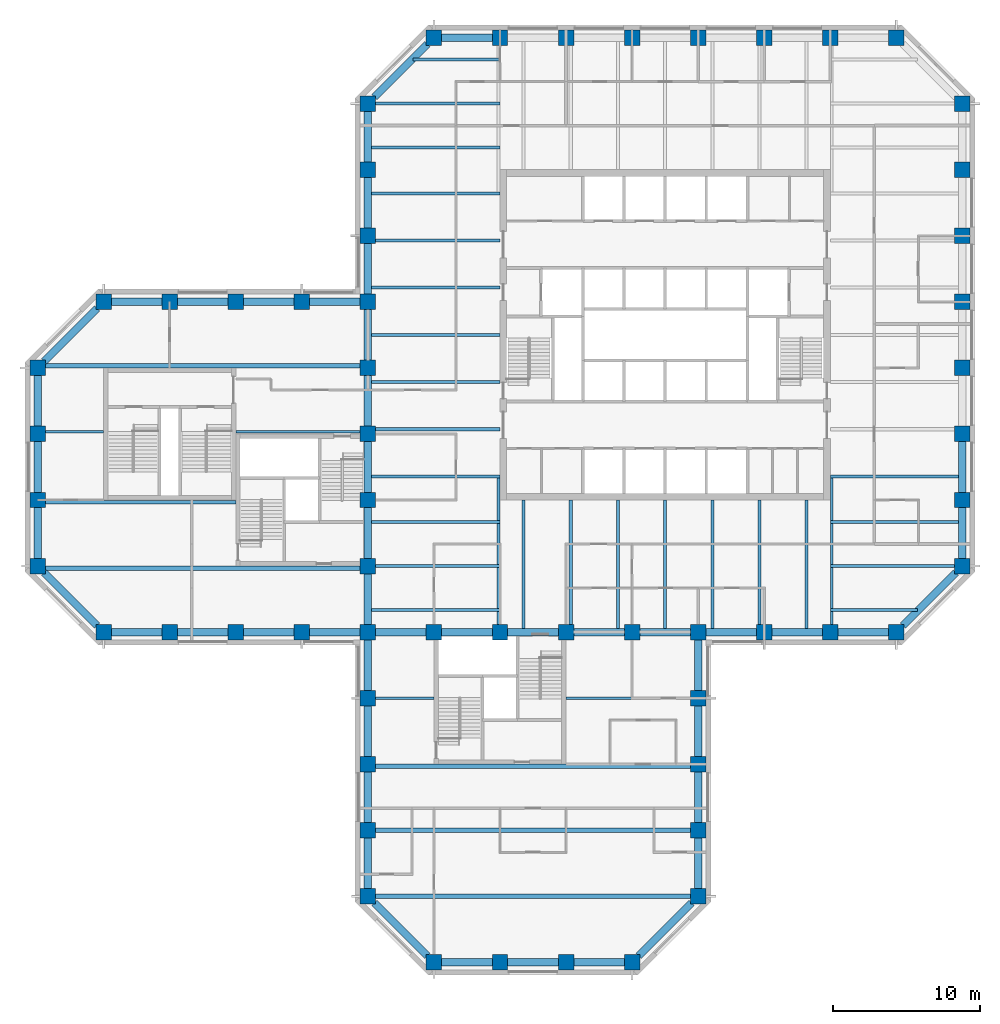
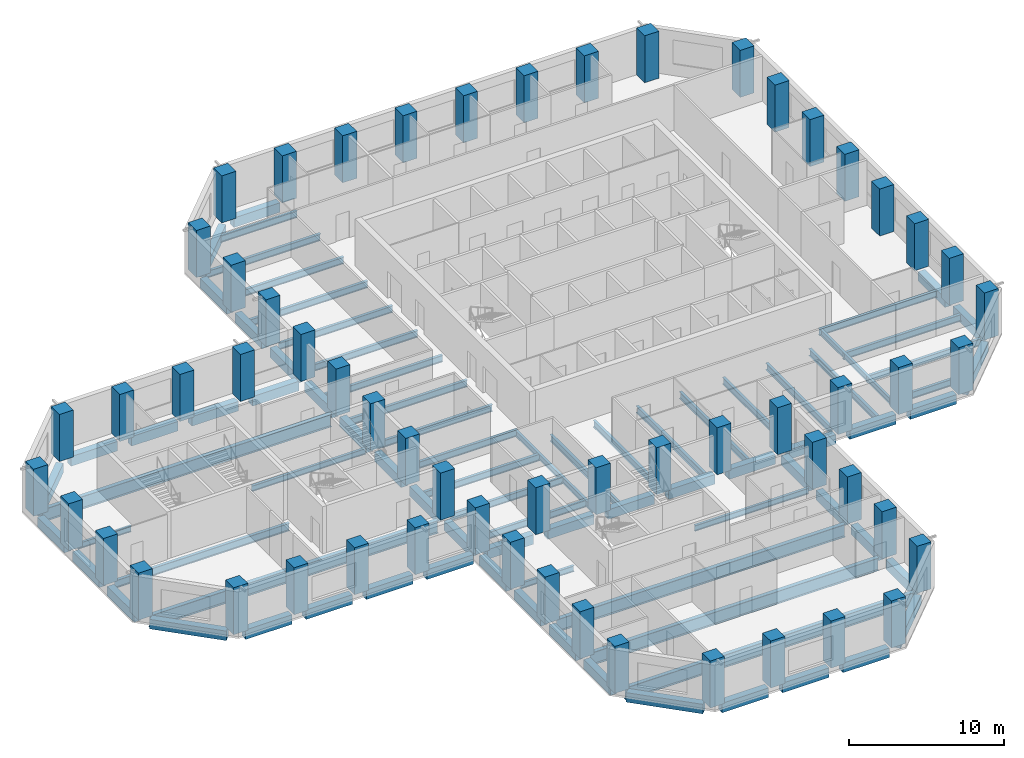
# One storey, part 1 of 11: 83 beams, 57 columns.
"""IFC4 building model written with IfcOpenShell, lengths in metres."""

from ifc_helpers import new_model, si_unit, direction, frame, origin, origin_2d, place, context, subcontext, project, spatial, rectangle, i_section, extrude, material, material_profile, profile_set, type_object, element, save


model = new_model("IFC4")

# Units and contexts
model_context = context("Model", 3, precision=1e-05, world=origin(), true_north=direction((0.0, 1.0)))
body_context = subcontext(model_context, "Body", "Model", "MODEL_VIEW")
ifc_project = project(units=[si_unit("LENGTHUNIT", "METRE"), si_unit("AREAUNIT", "SQUARE_METRE"), si_unit("VOLUMEUNIT", "CUBIC_METRE"), si_unit("PLANEANGLEUNIT", "RADIAN"), si_unit("MASSUNIT", "GRAM", prefix="KILO")], contexts=[model_context])

# Site, building, storey
site_placement = place(None, origin())
site = spatial("IfcSite", under=ifc_project, at=site_placement, CompositionType="ELEMENT")
building_placement = place(site_placement, origin())
building = spatial("IfcBuilding", under=site, at=building_placement, Name="Quoin Convention Tower", CompositionType="ELEMENT")
storey_placement = place(building_placement, frame((0.0, 0.0, 93.699951171875)))
storey = spatial("IfcBuildingStorey", under=building, at=storey_placement, Name="L24", CompositionType="ELEMENT", Elevation=93.699951171875)

# Columns
ifc_material_1 = material(Name="Concrete C65", Category="concrete")
ifc_material_profile_1 = material_profile(ifc_material_1, rectangle(XDim=1.050048828125, YDim=1.050048828125, at=origin_2d()), Name="RC 1050x1050")
ifc_profile_set_1 = profile_set([ifc_material_profile_1], Name="Concrete C65")
column_type = type_object("IfcColumnType", Name="RC 1050x1050 C65", PredefinedType="COLUMN", material=ifc_profile_set_1)
for number, where, z_axis, x_axis, name in (
    (1, (40.5, 18.0, 0.0), (0.0, 0.0, 1.0), (1.0, 0.0, 0.0), "col-L24-40500_18000"),
    (2, (45.0, 18.0, 0.0), (0.0, 0.0, 1.0), (1.0, 0.0, 0.0), "col-L24-45000_18000"),
    (3, (49.5, 18.0, 0.0), (0.0, 0.0, 1.0), (1.0, 0.0, 0.0), "col-L24-49500_18000"),
    (4, (54.0, 18.0, 0.0), (0.0, 0.0, 1.0), (1.0, 0.0, 0.0), "col-L24-54000_18000"),
    (5, (36.0, 22.5, 0.0), (0.0, 0.0, 1.0), (1.0, 0.0, 0.0), "col-L24-36000_22500"),
    (6, (58.5, 22.5, 0.0), (0.0, 0.0, 1.0), (1.0, 0.0, 0.0), "col-L24-58500_22500"),
    (7, (36.0, 27.0, 0.0), (0.0, 0.0, 1.0), (1.0, 0.0, 0.0), "col-L24-36000_27000"),
    (8, (58.5, 27.0, 0.0), (0.0, 0.0, 1.0), (1.0, 0.0, 0.0), "col-L24-58500_27000"),
    (9, (36.0, 31.5, 0.0), (0.0, 0.0, 1.0), (1.0, 0.0, 0.0), "col-L24-36000_31500"),
    (10, (58.5, 31.5, 0.0), (0.0, 0.0, 1.0), (1.0, 0.0, 0.0), "col-L24-58500_31500"),
    (11, (36.0, 36.0, 0.0), (0.0, 0.0, 1.0), (1.0, 0.0, 0.0), "col-L24-36000_36000"),
    (12, (58.5, 36.0, 0.0), (0.0, 0.0, 1.0), (1.0, 0.0, 0.0), "col-L24-58500_36000"),
    (13, (18.0, 40.5, 0.0), (0.0, 0.0, 1.0), (1.0, 0.0, 0.0), "col-L24-18000_40500"),
    (14, (22.5, 40.5, 0.0), (0.0, 0.0, 1.0), (1.0, 0.0, 0.0), "col-L24-22500_40500"),
    (15, (27.0, 40.5, 0.0), (0.0, 0.0, 1.0), (1.0, 0.0, 0.0), "col-L24-27000_40500"),
    (16, (31.5, 40.5, 0.0), (0.0, 0.0, 1.0), (1.0, 0.0, 0.0), "col-L24-31500_40500"),
    (17, (36.0, 40.5, 0.0), (0.0, 0.0, 1.0), (1.0, 0.0, 0.0), "col-L24-36000_40500"),
    (18, (40.5, 40.5, 0.0), (0.0, 0.0, 1.0), (1.0, 0.0, 0.0), "web-L24-40500_40500"),
    (19, (45.0, 40.5, 0.0), (0.0, 0.0, 1.0), (1.0, 0.0, 0.0), "web-L24-45000_40500"),
    (20, (49.5, 40.5, 0.0), (0.0, 0.0, 1.0), (1.0, 0.0, 0.0), "web-L24-49500_40500"),
    (21, (54.0, 40.5, 0.0), (0.0, 0.0, 1.0), (1.0, 0.0, 0.0), "web-L24-54000_40500"),
    (22, (58.5, 40.5, 0.0), (0.0, 0.0, 1.0), (1.0, 0.0, 0.0), "col-L24-58500_40500"),
    (23, (63.0, 40.5, 0.0), (0.0, 0.0, 1.0), (1.0, 0.0, 0.0), "col-L24-63000_40500"),
    (24, (67.5, 40.5, 0.0), (0.0, 0.0, 1.0), (1.0, 0.0, 0.0), "col-L24-67500_40500"),
    (25, (72.0, 40.5, 0.0), (0.0, 0.0, 1.0), (1.0, 0.0, 0.0), "col-L24-72000_40500"),
    (26, (13.5, 45.0, 0.0), (0.0, 0.0, 1.0), (1.0, 0.0, 0.0), "col-L24-13500_45000"),
    (27, (36.0, 45.0, 0.0), (0.0, 0.0, 1.0), (1.0, 0.0, 0.0), "web-L24-36000_45000"),
    (28, (76.5, 45.0, 0.0), (0.0, 0.0, 1.0), (1.0, 0.0, 0.0), "col-L24-76500_45000"),
    (29, (13.5, 49.5, 0.0), (0.0, 0.0, 1.0), (1.0, 0.0, 0.0), "col-L24-13500_49500"),
    (30, (36.0, 49.5, 0.0), (0.0, 0.0, 1.0), (1.0, 0.0, 0.0), "web-L24-36000_49500"),
    (31, (76.5, 49.5, 0.0), (0.0, 0.0, 1.0), (1.0, 0.0, 0.0), "col-L24-76500_49500"),
    (32, (13.5, 54.0, 0.0), (0.0, 0.0, 1.0), (1.0, 0.0, 0.0), "col-L24-13500_54000"),
    (33, (36.0, 54.0, 0.0), (0.0, 0.0, 1.0), (1.0, 0.0, 0.0), "web-L24-36000_54000"),
    (34, (76.5, 54.0, 0.0), (0.0, 0.0, 1.0), (1.0, 0.0, 0.0), "col-L24-76500_54000"),
    (35, (13.5, 58.5, 0.0), (0.0, 0.0, 1.0), (1.0, 0.0, 0.0), "col-L24-13500_58500"),
    (36, (36.0, 58.5, 0.0), (0.0, 0.0, 1.0), (1.0, 0.0, 0.0), "web-L24-36000_58500"),
    (37, (76.5, 58.5, 0.0), (0.0, 0.0, 1.0), (1.0, 0.0, 0.0), "col-L24-76500_58500"),
    (38, (18.0, 63.0, 0.0), (0.0, 0.0, 1.0), (1.0, 0.0, 0.0), "col-L24-18000_63000"),
    (39, (22.5, 63.0, 0.0), (0.0, 0.0, 1.0), (1.0, 0.0, 0.0), "col-L24-22500_63000"),
    (40, (27.0, 63.0, 0.0), (0.0, 0.0, 1.0), (1.0, 0.0, 0.0), "col-L24-27000_63000"),
    (41, (31.5, 63.0, 0.0), (0.0, 0.0, 1.0), (1.0, 0.0, 0.0), "col-L24-31500_63000"),
    (42, (36.0, 63.0, 0.0), (0.0, 0.0, 1.0), (1.0, 0.0, 0.0), "col-L24-36000_63000"),
    (43, (76.5, 63.0, 0.0), (0.0, 0.0, 1.0), (1.0, 0.0, 0.0), "col-L24-76500_63000"),
    (44, (36.0, 67.5, 0.0), (0.0, 0.0, 1.0), (1.0, 0.0, 0.0), "col-L24-36000_67500"),
    (45, (76.5, 67.5, 0.0), (0.0, 0.0, 1.0), (1.0, 0.0, 0.0), "col-L24-76500_67500"),
    (46, (36.0, 72.0, 0.0), (0.0, 0.0, 1.0), (1.0, 0.0, 0.0), "col-L24-36000_72000"),
    (47, (76.5, 72.0, 0.0), (0.0, 0.0, 1.0), (1.0, 0.0, 0.0), "col-L24-76500_72000"),
    (48, (36.0, 76.5, 0.0), (0.0, 0.0, 1.0), (1.0, 0.0, 0.0), "col-L24-36000_76500"),
    (49, (76.5, 76.5, 0.0), (0.0, 0.0, 1.0), (1.0, 0.0, 0.0), "col-L24-76500_76500"),
    (50, (40.5, 81.0, 0.0), (0.0, 0.0, 1.0), (1.0, 0.0, 0.0), "col-L24-40500_81000"),
    (51, (45.0, 81.0, 0.0), (0.0, 0.0, 1.0), (1.0, 0.0, 0.0), "col-L24-45000_81000"),
    (52, (49.5, 81.0, 0.0), (0.0, 0.0, 1.0), (1.0, 0.0, 0.0), "col-L24-49500_81000"),
    (53, (54.0, 81.0, 0.0), (0.0, 0.0, 1.0), (1.0, 0.0, 0.0), "col-L24-54000_81000"),
    (54, (58.5, 81.0, 0.0), (0.0, 0.0, 1.0), (1.0, 0.0, 0.0), "col-L24-58500_81000"),
    (55, (63.0, 81.0, 0.0), (0.0, 0.0, 1.0), (1.0, 0.0, 0.0), "col-L24-63000_81000"),
    (56, (67.5, 81.0, 0.0), (0.0, 0.0, 1.0), (1.0, 0.0, 0.0), "col-L24-67500_81000"),
    (57, (72.0, 81.0, 0.0), (0.0, 0.0, 1.0), (1.0, 0.0, 0.0), "col-L24-72000_81000"),
):
    element("IfcColumn", number, at=place(storey_placement, frame(where, z_axis=z_axis, x_axis=x_axis)), inside=storey, type_object=column_type, Name=name, PredefinedType="COLUMN", context=body_context, shape_type="SweptSolid", body=[
        extrude(rectangle(XDim=1.050048828125, YDim=1.050048828125, at=origin_2d()), origin(), (0.0, 0.0, 1.0), 3.699951171875),
    ])

# Beams
ifc_material_2 = material(Name="Steel Grade 300", Category="steel")
ifc_material_profile_2 = material_profile(ifc_material_2, i_section(OverallWidth=0.300048828125, OverallDepth=1.0, WebThickness=0.01611328125, FlangeThickness=0.02001953125, at=origin_2d()), Name="1000WB215")
ifc_profile_set_2 = profile_set([ifc_material_profile_2], Name="Steel Grade 300")
beam_type_1 = type_object("IfcBeamType", Name="1000WB215", PredefinedType="BEAM", material=ifc_profile_set_2)
for number, where, z_axis, x_axis, name in (
    (58, (36.52490234375, 22.5, -0.64990234375), (1.0, 0.0, 0.0), (0.0, 1.0, 0.0), "gir-L24-ST3-1-0"),
    (59, (36.52490234375, 27.0, -0.64990234375), (1.0, 0.0, 0.0), (0.0, 1.0, 0.0), "gir-L24-ST3-2-0"),
    (60, (36.52490234375, 31.35009765625, -0.64990234375), (1.0, 0.0, 0.0), (0.0, 1.0, 0.0), "gir-L24-ST3-3-0"),
    (61, (14.02490234375, 44.85009765625, -0.64990234375), (1.0, 0.0, 0.0), (0.0, 1.0, 0.0), "gir-L24-ST2-1-0"),
    (62, (14.02490234375, 58.64990234375, -0.64990234375), (1.0, 0.0, 0.0), (0.0, 1.0, 0.0), "gir-L24-ST2-4-0"),
):
    element("IfcBeam", number, at=place(storey_placement, frame(where, z_axis=z_axis, x_axis=x_axis)), inside=storey, type_object=beam_type_1, Name=name, PredefinedType="BEAM", context=body_context, shape_type="SweptSolid", body=[
        extrude(i_section(OverallWidth=0.300048828125, OverallDepth=1.0, WebThickness=0.01611328125, FlangeThickness=0.02001953125, at=origin_2d()), origin(), (0.0, 0.0, 1.0), 21.4501953125),
    ])
ifc_material_profile_3 = material_profile(ifc_material_2, i_section(OverallWidth=0.18994140625, OverallDepth=0.4541015625, WebThickness=0.008544921875, FlangeThickness=0.0126953125, FilletRadius=0.011474609375, at=origin_2d()), Name="460UB67.1")
ifc_profile_set_3 = profile_set([ifc_material_profile_3], Name="Steel Grade 300")
beam_type_2 = type_object("IfcBeamType", Name="460UB67.1", PredefinedType="BEAM", material=ifc_profile_set_3)
for number, where, z_axis, x_axis, name in (
    (63, (44.8955078125, 41.02490234375, -0.376953125), (0.0, 1.0, 0.0), (-1.0, 0.0, 0.0), "gir-L24-T1SW"),
    (64, (67.6044921875, 41.02490234375, -0.376953125), (0.0, 1.0, 0.0), (-1.0, 0.0, 0.0), "gir-L24-T1SE"),
):
    element("IfcBeam", number, at=place(storey_placement, frame(where, z_axis=z_axis, x_axis=x_axis)), inside=storey, type_object=beam_type_2, Name=name, PredefinedType="BEAM", context=body_context, shape_type="SweptSolid", body=[
        extrude(i_section(OverallWidth=0.18994140625, OverallDepth=0.4541015625, WebThickness=0.008544921875, FlangeThickness=0.0126953125, FilletRadius=0.011474609375, at=origin_2d()), origin(), (0.0, 0.0, 1.0), 9.977783203125),
    ])
beam_1_placement = place(storey_placement, frame((36.52490234375, 36.0, -0.376953125), z_axis=(1.0, 0.0, 0.0), x_axis=(0.0, 1.0, 0.0)))
element("IfcBeam", 65, at=beam_1_placement, inside=storey, type_object=beam_type_2, Name="gir-L24-ST3-4-0", PredefinedType="BEAM", context=body_context, shape_type="SweptSolid", body=[
    extrude(i_section(OverallWidth=0.18994140625, OverallDepth=0.4541015625, WebThickness=0.008544921875, FlangeThickness=0.0126953125, FilletRadius=0.011474609375, at=origin_2d()), origin(), (0.0, 0.0, 1.0), 3.97509765625),
])
beam_2_placement = place(storey_placement, frame((49.5, 36.0, -0.376953125), z_axis=(1.0, 0.0, 0.0), x_axis=(0.0, 1.0, 0.0)))
element("IfcBeam", 66, at=beam_2_placement, inside=storey, type_object=beam_type_2, Name="gir-L24-ST3-4-1", PredefinedType="BEAM", context=body_context, shape_type="SweptSolid", body=[
    extrude(i_section(OverallWidth=0.18994140625, OverallDepth=0.4541015625, WebThickness=0.008544921875, FlangeThickness=0.0126953125, FilletRadius=0.011474609375, at=origin_2d()), origin(), (0.0, 0.0, 1.0), 8.47509765625),
])
beam_3_placement = place(storey_placement, frame((14.02490234375, 54.14990234375, -0.376953125), z_axis=(1.0, 0.0, 0.0), x_axis=(0.0, 1.0, 0.0)))
element("IfcBeam", 67, at=beam_3_placement, inside=storey, type_object=beam_type_2, Name="gir-L24-ST2-3-0", PredefinedType="BEAM", context=body_context, shape_type="SweptSolid", body=[
    extrude(i_section(OverallWidth=0.18994140625, OverallDepth=0.4541015625, WebThickness=0.008544921875, FlangeThickness=0.0126953125, FilletRadius=0.011474609375, at=origin_2d()), origin(), (0.0, 0.0, 1.0), 3.97509765625),
])
beam_4_placement = place(storey_placement, frame((27.0, 54.14990234375, -0.376953125), z_axis=(1.0, 0.0, 0.0), x_axis=(0.0, 1.0, 0.0)))
element("IfcBeam", 68, at=beam_4_placement, inside=storey, type_object=beam_type_2, Name="gir-L24-ST2-3-1", PredefinedType="BEAM", context=body_context, shape_type="SweptSolid", body=[
    extrude(i_section(OverallWidth=0.18994140625, OverallDepth=0.4541015625, WebThickness=0.008544921875, FlangeThickness=0.0126953125, FilletRadius=0.011474609375, at=origin_2d()), origin(), (0.0, 0.0, 1.0), 8.47509765625),
])
ifc_material_profile_4 = material_profile(ifc_material_2, i_section(OverallWidth=0.208984375, OverallDepth=0.528076171875, WebThickness=0.009521484375, FlangeThickness=0.01318359375, FilletRadius=0.013916015625, at=origin_2d()), Name="530UB82.0")
ifc_profile_set_4 = profile_set([ifc_material_profile_4], Name="Steel Grade 300")
beam_type_3 = type_object("IfcBeamType", Name="530UB82.0", PredefinedType="BEAM", material=ifc_profile_set_4)
beam_5_placement = place(storey_placement, frame((36.25, 51.107177734375, -0.4140625), z_axis=(1.0, 0.0, 0.0), x_axis=(0.0, 1.0, 0.0)))
element("IfcBeam", 69, at=beam_5_placement, inside=storey, type_object=beam_type_3, Name="bm-L24-T1W0", PredefinedType="BEAM", context=body_context, shape_type="SweptSolid", body=[
    extrude(i_section(OverallWidth=0.208984375, OverallDepth=0.528076171875, WebThickness=0.009521484375, FlangeThickness=0.01318359375, FilletRadius=0.013916015625, at=origin_2d()), origin(), (0.0, 0.0, 1.0), 8.75),
])
beam_6_placement = place(storey_placement, frame((36.52490234375, 54.3212890625, -0.4140625), z_axis=(1.0, 0.0, 0.0), x_axis=(0.0, 1.0, 0.0)))
element("IfcBeam", 70, at=beam_6_placement, inside=storey, type_object=beam_type_3, Name="bm-L24-T1W1", PredefinedType="BEAM", context=body_context, shape_type="SweptSolid", body=[
    extrude(i_section(OverallWidth=0.208984375, OverallDepth=0.528076171875, WebThickness=0.009521484375, FlangeThickness=0.01318359375, FilletRadius=0.013916015625, at=origin_2d()), origin(), (0.0, 0.0, 1.0), 8.47509765625),
])
for number, where, z_axis, x_axis, name in (
    (71, (36.25, 57.53564453125, -0.4140625), (1.0, 0.0, 0.0), (0.0, 1.0, 0.0), "bm-L24-T1W2"),
    (72, (36.25, 60.75, -0.4140625), (1.0, 0.0, 0.0), (0.0, 1.0, 0.0), "bm-L24-T1W3"),
    (73, (36.25, 63.96435546875, -0.4140625), (1.0, 0.0, 0.0), (0.0, 1.0, 0.0), "bm-L24-T1W4"),
):
    element("IfcBeam", number, at=place(storey_placement, frame(where, z_axis=z_axis, x_axis=x_axis)), inside=storey, type_object=beam_type_3, Name=name, PredefinedType="BEAM", context=body_context, shape_type="SweptSolid", body=[
        extrude(i_section(OverallWidth=0.208984375, OverallDepth=0.528076171875, WebThickness=0.009521484375, FlangeThickness=0.01318359375, FilletRadius=0.013916015625, at=origin_2d()), origin(), (0.0, 0.0, 1.0), 8.75),
    ])
beam_7_placement = place(storey_placement, frame((36.52490234375, 67.1787109375, -0.4140625), z_axis=(1.0, 0.0, 0.0), x_axis=(0.0, 1.0, 0.0)))
element("IfcBeam", 74, at=beam_7_placement, inside=storey, type_object=beam_type_3, Name="bm-L24-T1W5", PredefinedType="BEAM", context=body_context, shape_type="SweptSolid", body=[
    extrude(i_section(OverallWidth=0.208984375, OverallDepth=0.528076171875, WebThickness=0.009521484375, FlangeThickness=0.01318359375, FilletRadius=0.013916015625, at=origin_2d()), origin(), (0.0, 0.0, 1.0), 8.47509765625),
])
for number, where, z_axis, x_axis, name in (
    (75, (36.25, 70.392822265625, -0.4140625), (1.0, 0.0, 0.0), (0.0, 1.0, 0.0), "bm-L24-T1W6"),
    (76, (67.5, 51.107177734375, -0.4140625), (1.0, 0.0, 0.0), (0.0, 1.0, 0.0), "bm-L24-T1E0"),
    (77, (46.607177734375, 40.75, -0.4140625), (0.0, 1.0, 0.0), (-1.0, 0.0, 0.0), "bm-L24-T1S0"),
):
    element("IfcBeam", number, at=place(storey_placement, frame(where, z_axis=z_axis, x_axis=x_axis)), inside=storey, type_object=beam_type_3, Name=name, PredefinedType="BEAM", context=body_context, shape_type="SweptSolid", body=[
        extrude(i_section(OverallWidth=0.208984375, OverallDepth=0.528076171875, WebThickness=0.009521484375, FlangeThickness=0.01318359375, FilletRadius=0.013916015625, at=origin_2d()), origin(), (0.0, 0.0, 1.0), 8.75),
    ])
beam_8_placement = place(storey_placement, frame((49.8212890625, 41.02490234375, -0.4140625), z_axis=(0.0, 1.0, 0.0), x_axis=(-1.0, 0.0, 0.0)))
element("IfcBeam", 78, at=beam_8_placement, inside=storey, type_object=beam_type_3, Name="bm-L24-T1S1", PredefinedType="BEAM", context=body_context, shape_type="SweptSolid", body=[
    extrude(i_section(OverallWidth=0.208984375, OverallDepth=0.528076171875, WebThickness=0.009521484375, FlangeThickness=0.01318359375, FilletRadius=0.013916015625, at=origin_2d()), origin(), (0.0, 0.0, 1.0), 8.47509765625),
])
for number, where, z_axis, x_axis, name in (
    (79, (53.03564453125, 40.75, -0.4140625), (0.0, 1.0, 0.0), (-1.0, 0.0, 0.0), "bm-L24-T1S2"),
    (80, (56.25, 40.75, -0.4140625), (0.0, 1.0, 0.0), (-1.0, 0.0, 0.0), "bm-L24-T1S3"),
    (81, (59.46435546875, 40.75, -0.4140625), (0.0, 1.0, 0.0), (-1.0, 0.0, 0.0), "bm-L24-T1S4"),
):
    element("IfcBeam", number, at=place(storey_placement, frame(where, z_axis=z_axis, x_axis=x_axis)), inside=storey, type_object=beam_type_3, Name=name, PredefinedType="BEAM", context=body_context, shape_type="SweptSolid", body=[
        extrude(i_section(OverallWidth=0.208984375, OverallDepth=0.528076171875, WebThickness=0.009521484375, FlangeThickness=0.01318359375, FilletRadius=0.013916015625, at=origin_2d()), origin(), (0.0, 0.0, 1.0), 8.75),
    ])
beam_9_placement = place(storey_placement, frame((62.6787109375, 41.02490234375, -0.4140625), z_axis=(0.0, 1.0, 0.0), x_axis=(-1.0, 0.0, 0.0)))
element("IfcBeam", 82, at=beam_9_placement, inside=storey, type_object=beam_type_3, Name="bm-L24-T1S5", PredefinedType="BEAM", context=body_context, shape_type="SweptSolid", body=[
    extrude(i_section(OverallWidth=0.208984375, OverallDepth=0.528076171875, WebThickness=0.009521484375, FlangeThickness=0.01318359375, FilletRadius=0.013916015625, at=origin_2d()), origin(), (0.0, 0.0, 1.0), 8.47509765625),
])
for number, where, z_axis, x_axis, name in (
    (83, (65.892822265625, 40.75, -0.4140625), (0.0, 1.0, 0.0), (-1.0, 0.0, 0.0), "bm-L24-T1S6"),
    (84, (36.25, 42.0, -0.4140625), (1.0, 0.0, 0.0), (0.0, 1.0, 0.0), "bm-L24-T1SW0"),
):
    element("IfcBeam", number, at=place(storey_placement, frame(where, z_axis=z_axis, x_axis=x_axis)), inside=storey, type_object=beam_type_3, Name=name, PredefinedType="BEAM", context=body_context, shape_type="SweptSolid", body=[
        extrude(i_section(OverallWidth=0.208984375, OverallDepth=0.528076171875, WebThickness=0.009521484375, FlangeThickness=0.01318359375, FilletRadius=0.013916015625, at=origin_2d()), origin(), (0.0, 0.0, 1.0), 8.75),
    ])
beam_10_placement = place(storey_placement, frame((36.52490234375, 45.0, -0.4140625), z_axis=(1.0, 0.0, 0.0), x_axis=(0.0, 1.0, 0.0)))
element("IfcBeam", 85, at=beam_10_placement, inside=storey, type_object=beam_type_3, Name="bm-L24-T1SW1", PredefinedType="BEAM", context=body_context, shape_type="SweptSolid", body=[
    extrude(i_section(OverallWidth=0.208984375, OverallDepth=0.528076171875, WebThickness=0.009521484375, FlangeThickness=0.01318359375, FilletRadius=0.013916015625, at=origin_2d()), origin(), (0.0, 0.0, 1.0), 8.47509765625),
])
beam_11_placement = place(storey_placement, frame((36.25, 48.0, -0.4140625), z_axis=(1.0, 0.0, 0.0), x_axis=(0.0, 1.0, 0.0)))
element("IfcBeam", 86, at=beam_11_placement, inside=storey, type_object=beam_type_3, Name="bm-L24-T1SW2", PredefinedType="BEAM", context=body_context, shape_type="SweptSolid", body=[
    extrude(i_section(OverallWidth=0.208984375, OverallDepth=0.528076171875, WebThickness=0.009521484375, FlangeThickness=0.01318359375, FilletRadius=0.013916015625, at=origin_2d()), origin(), (0.0, 0.0, 1.0), 8.75),
])
beam_12_placement = place(storey_placement, frame((67.5, 42.0, -0.4140625), z_axis=(1.0, 0.0, 0.0), x_axis=(0.0, 1.0, 0.0)))
element("IfcBeam", 87, at=beam_12_placement, inside=storey, type_object=beam_type_3, Name="bm-L24-T1SE0", PredefinedType="BEAM", context=body_context, shape_type="SweptSolid", body=[
    extrude(i_section(OverallWidth=0.208984375, OverallDepth=0.528076171875, WebThickness=0.009521484375, FlangeThickness=0.01318359375, FilletRadius=0.013916015625, at=origin_2d()), origin(), (0.0, 0.0, 1.0), 5.927734375),
])
beam_13_placement = place(storey_placement, frame((67.5, 45.0, -0.4140625), z_axis=(1.0, 0.0, 0.0), x_axis=(0.0, 1.0, 0.0)))
element("IfcBeam", 88, at=beam_13_placement, inside=storey, type_object=beam_type_3, Name="bm-L24-T1SE1", PredefinedType="BEAM", context=body_context, shape_type="SweptSolid", body=[
    extrude(i_section(OverallWidth=0.208984375, OverallDepth=0.528076171875, WebThickness=0.009521484375, FlangeThickness=0.01318359375, FilletRadius=0.013916015625, at=origin_2d()), origin(), (0.0, 0.0, 1.0), 8.47509765625),
])
beam_14_placement = place(storey_placement, frame((67.5, 48.0, -0.4140625), z_axis=(1.0, 0.0, 0.0), x_axis=(0.0, 1.0, 0.0)))
element("IfcBeam", 89, at=beam_14_placement, inside=storey, type_object=beam_type_3, Name="bm-L24-T1SE2", PredefinedType="BEAM", context=body_context, shape_type="SweptSolid", body=[
    extrude(i_section(OverallWidth=0.208984375, OverallDepth=0.528076171875, WebThickness=0.009521484375, FlangeThickness=0.01318359375, FilletRadius=0.013916015625, at=origin_2d()), origin(), (0.0, 0.0, 1.0), 8.75),
])
beam_15_placement = place(storey_placement, frame((39.072265625, 79.5, -0.4140625), z_axis=(1.0, 0.0, 0.0), x_axis=(0.0, 1.0, 0.0)))
element("IfcBeam", 90, at=beam_15_placement, inside=storey, type_object=beam_type_3, Name="bm-L24-T1NW0", PredefinedType="BEAM", context=body_context, shape_type="SweptSolid", body=[
    extrude(i_section(OverallWidth=0.208984375, OverallDepth=0.528076171875, WebThickness=0.009521484375, FlangeThickness=0.01318359375, FilletRadius=0.013916015625, at=origin_2d()), origin(), (0.0, 0.0, 1.0), 5.927734375),
])
beam_16_placement = place(storey_placement, frame((36.52490234375, 76.5, -0.4140625), z_axis=(1.0, 0.0, 0.0), x_axis=(0.0, 1.0, 0.0)))
element("IfcBeam", 91, at=beam_16_placement, inside=storey, type_object=beam_type_3, Name="bm-L24-T1NW1", PredefinedType="BEAM", context=body_context, shape_type="SweptSolid", body=[
    extrude(i_section(OverallWidth=0.208984375, OverallDepth=0.528076171875, WebThickness=0.009521484375, FlangeThickness=0.01318359375, FilletRadius=0.013916015625, at=origin_2d()), origin(), (0.0, 0.0, 1.0), 8.47509765625),
])
beam_17_placement = place(storey_placement, frame((36.25, 73.5, -0.4140625), z_axis=(1.0, 0.0, 0.0), x_axis=(0.0, 1.0, 0.0)))
element("IfcBeam", 92, at=beam_17_placement, inside=storey, type_object=beam_type_3, Name="bm-L24-T1NW2", PredefinedType="BEAM", context=body_context, shape_type="SweptSolid", body=[
    extrude(i_section(OverallWidth=0.208984375, OverallDepth=0.528076171875, WebThickness=0.009521484375, FlangeThickness=0.01318359375, FilletRadius=0.013916015625, at=origin_2d()), origin(), (0.0, 0.0, 1.0), 8.75),
])
ifc_material_profile_5 = material_profile(ifc_material_2, i_section(OverallWidth=0.22802734375, OverallDepth=0.60205078125, WebThickness=0.010498046875, FlangeThickness=0.014892578125, FilletRadius=0.013916015625, at=origin_2d()), Name="610UB101")
ifc_profile_set_5 = profile_set([ifc_material_profile_5], Name="Steel Grade 300")
beam_type_4 = type_object("IfcBeamType", Name="610UB101", PredefinedType="BEAM", material=ifc_profile_set_5)
beam_18_placement = place(storey_placement, frame((14.02490234375, 49.35009765625, -0.450927734375), z_axis=(1.0, 0.0, 0.0), x_axis=(0.0, 1.0, 0.0)))
element("IfcBeam", 93, at=beam_18_placement, inside=storey, type_object=beam_type_4, Name="gir-L24-ST2-2-0", PredefinedType="BEAM", context=body_context, shape_type="SweptSolid", body=[
    extrude(i_section(OverallWidth=0.22802734375, OverallDepth=0.60205078125, WebThickness=0.010498046875, FlangeThickness=0.014892578125, FilletRadius=0.013916015625, at=origin_2d()), origin(), (0.0, 0.0, 1.0), 12.97509765625),
])
ifc_material_profile_6 = material_profile(ifc_material_1, rectangle(XDim=0.5, YDim=0.75, at=origin_2d()), Name="RC 500x750")
ifc_profile_set_6 = profile_set([ifc_material_profile_6], Name="Concrete C65")
beam_type_5 = type_object("IfcBeamType", Name="RC 500x750 C65", PredefinedType="SPANDREL", material=ifc_profile_set_6)
for number, where, z_axis, x_axis, name in (
    (94, (59.02490234375, 40.5, -0.52490234375), (1.0, 0.0, 0.0), (0.0, 1.0, 0.0), "spd-L24-58500_40500-63000_40500"),
    (95, (63.52490234375, 40.5, -0.52490234375), (1.0, 0.0, 0.0), (0.0, 1.0, 0.0), "spd-L24-63000_40500-67500_40500"),
    (96, (68.02490234375, 40.5, -0.52490234375), (1.0, 0.0, 0.0), (0.0, 1.0, 0.0), "spd-L24-67500_40500-72000_40500"),
):
    element("IfcBeam", number, at=place(storey_placement, frame(where, z_axis=z_axis, x_axis=x_axis)), inside=storey, type_object=beam_type_5, Name=name, PredefinedType="SPANDREL", context=body_context, shape_type="SweptSolid", body=[
        extrude(rectangle(XDim=0.5, YDim=0.75, at=origin_2d()), origin(), (0.0, 0.0, 1.0), 3.4501953125),
    ])
beam_19_placement = place(storey_placement, frame((72.440185546875, 40.940185546875, -0.52490234375), z_axis=(0.707106781187, 0.707106781187, 0.0), x_axis=(-0.707106781187, 0.707106781187, 0.0)))
element("IfcBeam", 97, at=beam_19_placement, inside=storey, type_object=beam_type_5, Name="spd-L24-72000_40500-76500_45000", PredefinedType="SPANDREL", context=body_context, shape_type="SweptSolid", body=[
    extrude(rectangle(XDim=0.5, YDim=0.75, at=origin_2d()), origin(), (0.0, 0.0, 1.0), 5.118896484375),
])
for number, where, z_axis, x_axis, name in (
    (98, (76.5, 45.52490234375, -0.52490234375), (0.0, 1.0, 0.0), (-1.0, 0.0, 0.0), "spd-L24-76500_45000-76500_49500"),
    (99, (76.5, 50.02490234375, -0.52490234375), (0.0, 1.0, 0.0), (-1.0, 0.0, 0.0), "spd-L24-76500_49500-76500_54000"),
    (100, (44.47509765625, 81.0, -0.52490234375), (-1.0, 0.0, 0.0), (0.0, -1.0, 0.0), "spd-L24-45000_81000-40500_81000"),
):
    element("IfcBeam", number, at=place(storey_placement, frame(where, z_axis=z_axis, x_axis=x_axis)), inside=storey, type_object=beam_type_5, Name=name, PredefinedType="SPANDREL", context=body_context, shape_type="SweptSolid", body=[
        extrude(rectangle(XDim=0.5, YDim=0.75, at=origin_2d()), origin(), (0.0, 0.0, 1.0), 3.4501953125),
    ])
beam_20_placement = place(storey_placement, frame((40.059814453125, 80.559814453125, -0.52490234375), z_axis=(-0.707106781187, -0.707106781187, 0.0), x_axis=(0.707106781187, -0.707106781187, 0.0)))
element("IfcBeam", 101, at=beam_20_placement, inside=storey, type_object=beam_type_5, Name="spd-L24-40500_81000-36000_76500", PredefinedType="SPANDREL", context=body_context, shape_type="SweptSolid", body=[
    extrude(rectangle(XDim=0.5, YDim=0.75, at=origin_2d()), origin(), (0.0, 0.0, 1.0), 5.118896484375),
])
for number, where, z_axis, x_axis, name in (
    (102, (36.0, 75.97509765625, -0.52490234375), (0.0, -1.0, 0.0), (1.0, 0.0, 0.0), "spd-L24-36000_76500-36000_72000"),
    (103, (36.0, 71.47509765625, -0.52490234375), (0.0, -1.0, 0.0), (1.0, 0.0, 0.0), "spd-L24-36000_72000-36000_67500"),
    (104, (36.0, 66.97509765625, -0.52490234375), (0.0, -1.0, 0.0), (1.0, 0.0, 0.0), "spd-L24-36000_67500-36000_63000"),
    (105, (35.47509765625, 63.0, -0.52490234375), (-1.0, 0.0, 0.0), (0.0, -1.0, 0.0), "spd-L24-36000_63000-31500_63000"),
    (106, (30.97509765625, 63.0, -0.52490234375), (-1.0, 0.0, 0.0), (0.0, -1.0, 0.0), "spd-L24-31500_63000-27000_63000"),
    (107, (26.47509765625, 63.0, -0.52490234375), (-1.0, 0.0, 0.0), (0.0, -1.0, 0.0), "spd-L24-27000_63000-22500_63000"),
    (108, (21.97509765625, 63.0, -0.52490234375), (-1.0, 0.0, 0.0), (0.0, -1.0, 0.0), "spd-L24-22500_63000-18000_63000"),
):
    element("IfcBeam", number, at=place(storey_placement, frame(where, z_axis=z_axis, x_axis=x_axis)), inside=storey, type_object=beam_type_5, Name=name, PredefinedType="SPANDREL", context=body_context, shape_type="SweptSolid", body=[
        extrude(rectangle(XDim=0.5, YDim=0.75, at=origin_2d()), origin(), (0.0, 0.0, 1.0), 3.4501953125),
    ])
beam_21_placement = place(storey_placement, frame((17.559814453125, 62.559814453125, -0.52490234375), z_axis=(-0.707106781187, -0.707106781187, 0.0), x_axis=(0.707106781187, -0.707106781187, 0.0)))
element("IfcBeam", 109, at=beam_21_placement, inside=storey, type_object=beam_type_5, Name="spd-L24-18000_63000-13500_58500", PredefinedType="SPANDREL", context=body_context, shape_type="SweptSolid", body=[
    extrude(rectangle(XDim=0.5, YDim=0.75, at=origin_2d()), origin(), (0.0, 0.0, 1.0), 5.118896484375),
])
for number, where, z_axis, x_axis, name in (
    (110, (13.5, 57.97509765625, -0.52490234375), (0.0, -1.0, 0.0), (1.0, 0.0, 0.0), "spd-L24-13500_58500-13500_54000"),
    (111, (13.5, 53.47509765625, -0.52490234375), (0.0, -1.0, 0.0), (1.0, 0.0, 0.0), "spd-L24-13500_54000-13500_49500"),
    (112, (13.5, 48.97509765625, -0.52490234375), (0.0, -1.0, 0.0), (1.0, 0.0, 0.0), "spd-L24-13500_49500-13500_45000"),
):
    element("IfcBeam", number, at=place(storey_placement, frame(where, z_axis=z_axis, x_axis=x_axis)), inside=storey, type_object=beam_type_5, Name=name, PredefinedType="SPANDREL", context=body_context, shape_type="SweptSolid", body=[
        extrude(rectangle(XDim=0.5, YDim=0.75, at=origin_2d()), origin(), (0.0, 0.0, 1.0), 3.4501953125),
    ])
beam_22_placement = place(storey_placement, frame((13.940185546875, 44.559814453125, -0.52490234375), z_axis=(0.707106781187, -0.707106781187, 0.0), x_axis=(0.707106781187, 0.707106781187, 0.0)))
element("IfcBeam", 113, at=beam_22_placement, inside=storey, type_object=beam_type_5, Name="spd-L24-13500_45000-18000_40500", PredefinedType="SPANDREL", context=body_context, shape_type="SweptSolid", body=[
    extrude(rectangle(XDim=0.5, YDim=0.75, at=origin_2d()), origin(), (0.0, 0.0, 1.0), 5.118896484375),
])
for number, where, z_axis, x_axis, name in (
    (114, (18.52490234375, 40.5, -0.52490234375), (1.0, 0.0, 0.0), (0.0, 1.0, 0.0), "spd-L24-18000_40500-22500_40500"),
    (115, (23.02490234375, 40.5, -0.52490234375), (1.0, 0.0, 0.0), (0.0, 1.0, 0.0), "spd-L24-22500_40500-27000_40500"),
    (116, (27.52490234375, 40.5, -0.52490234375), (1.0, 0.0, 0.0), (0.0, 1.0, 0.0), "spd-L24-27000_40500-31500_40500"),
    (117, (32.02490234375, 40.5, -0.52490234375), (1.0, 0.0, 0.0), (0.0, 1.0, 0.0), "spd-L24-31500_40500-36000_40500"),
    (118, (36.0, 39.97509765625, -0.52490234375), (0.0, -1.0, 0.0), (1.0, 0.0, 0.0), "spd-L24-36000_40500-36000_36000"),
    (119, (36.0, 35.47509765625, -0.52490234375), (0.0, -1.0, 0.0), (1.0, 0.0, 0.0), "spd-L24-36000_36000-36000_31500"),
    (120, (36.0, 30.97509765625, -0.52490234375), (0.0, -1.0, 0.0), (1.0, 0.0, 0.0), "spd-L24-36000_31500-36000_27000"),
    (121, (36.0, 26.47509765625, -0.52490234375), (0.0, -1.0, 0.0), (1.0, 0.0, 0.0), "spd-L24-36000_27000-36000_22500"),
):
    element("IfcBeam", number, at=place(storey_placement, frame(where, z_axis=z_axis, x_axis=x_axis)), inside=storey, type_object=beam_type_5, Name=name, PredefinedType="SPANDREL", context=body_context, shape_type="SweptSolid", body=[
        extrude(rectangle(XDim=0.5, YDim=0.75, at=origin_2d()), origin(), (0.0, 0.0, 1.0), 3.4501953125),
    ])
beam_23_placement = place(storey_placement, frame((36.440185546875, 22.059814453125, -0.52490234375), z_axis=(0.707106781187, -0.707106781187, 0.0), x_axis=(0.707106781187, 0.707106781187, 0.0)))
element("IfcBeam", 122, at=beam_23_placement, inside=storey, type_object=beam_type_5, Name="spd-L24-36000_22500-40500_18000", PredefinedType="SPANDREL", context=body_context, shape_type="SweptSolid", body=[
    extrude(rectangle(XDim=0.5, YDim=0.75, at=origin_2d()), origin(), (0.0, 0.0, 1.0), 5.118896484375),
])
for number, where, z_axis, x_axis, name in (
    (123, (41.02490234375, 18.0, -0.52490234375), (1.0, 0.0, 0.0), (0.0, 1.0, 0.0), "spd-L24-40500_18000-45000_18000"),
    (124, (45.52490234375, 18.0, -0.52490234375), (1.0, 0.0, 0.0), (0.0, 1.0, 0.0), "spd-L24-45000_18000-49500_18000"),
    (125, (50.02490234375, 18.0, -0.52490234375), (1.0, 0.0, 0.0), (0.0, 1.0, 0.0), "spd-L24-49500_18000-54000_18000"),
):
    element("IfcBeam", number, at=place(storey_placement, frame(where, z_axis=z_axis, x_axis=x_axis)), inside=storey, type_object=beam_type_5, Name=name, PredefinedType="SPANDREL", context=body_context, shape_type="SweptSolid", body=[
        extrude(rectangle(XDim=0.5, YDim=0.75, at=origin_2d()), origin(), (0.0, 0.0, 1.0), 3.4501953125),
    ])
beam_24_placement = place(storey_placement, frame((54.440185546875, 18.440185546875, -0.52490234375), z_axis=(0.707106781187, 0.707106781187, 0.0), x_axis=(-0.707106781187, 0.707106781187, 0.0)))
element("IfcBeam", 126, at=beam_24_placement, inside=storey, type_object=beam_type_5, Name="spd-L24-54000_18000-58500_22500", PredefinedType="SPANDREL", context=body_context, shape_type="SweptSolid", body=[
    extrude(rectangle(XDim=0.5, YDim=0.75, at=origin_2d()), origin(), (0.0, 0.0, 1.0), 5.118896484375),
])
for number, where, z_axis, x_axis, name in (
    (127, (58.5, 23.02490234375, -0.52490234375), (0.0, 1.0, 0.0), (-1.0, 0.0, 0.0), "spd-L24-58500_22500-58500_27000"),
    (128, (58.5, 27.52490234375, -0.52490234375), (0.0, 1.0, 0.0), (-1.0, 0.0, 0.0), "spd-L24-58500_27000-58500_31500"),
    (129, (58.5, 32.02490234375, -0.52490234375), (0.0, 1.0, 0.0), (-1.0, 0.0, 0.0), "spd-L24-58500_31500-58500_36000"),
    (130, (58.5, 36.52490234375, -0.52490234375), (0.0, 1.0, 0.0), (-1.0, 0.0, 0.0), "spd-L24-58500_36000-58500_40500"),
    (131, (36.52490234375, 40.5, -0.52490234375), (1.0, 0.0, 0.0), (0.0, 1.0, 0.0), "spd-L24-36000_40500-40500_40500"),
    (132, (41.02490234375, 40.5, -0.52490234375), (1.0, 0.0, 0.0), (0.0, 1.0, 0.0), "spd-L24-40500_40500-45000_40500"),
    (133, (45.52490234375, 40.5, -0.52490234375), (1.0, 0.0, 0.0), (0.0, 1.0, 0.0), "spd-L24-45000_40500-49500_40500"),
    (134, (50.02490234375, 40.5, -0.52490234375), (1.0, 0.0, 0.0), (0.0, 1.0, 0.0), "spd-L24-49500_40500-54000_40500"),
    (135, (54.52490234375, 40.5, -0.52490234375), (1.0, 0.0, 0.0), (0.0, 1.0, 0.0), "spd-L24-54000_40500-58500_40500"),
    (136, (36.0, 41.02490234375, -0.52490234375), (0.0, 1.0, 0.0), (-1.0, 0.0, 0.0), "spd-L24-36000_40500-36000_45000"),
    (137, (36.0, 45.52490234375, -0.52490234375), (0.0, 1.0, 0.0), (-1.0, 0.0, 0.0), "spd-L24-36000_45000-36000_49500"),
    (138, (36.0, 50.02490234375, -0.52490234375), (0.0, 1.0, 0.0), (-1.0, 0.0, 0.0), "spd-L24-36000_49500-36000_54000"),
    (139, (36.0, 54.52490234375, -0.52490234375), (0.0, 1.0, 0.0), (-1.0, 0.0, 0.0), "spd-L24-36000_54000-36000_58500"),
    (140, (36.0, 59.02490234375, -0.52490234375), (0.0, 1.0, 0.0), (-1.0, 0.0, 0.0), "spd-L24-36000_58500-36000_63000"),
):
    element("IfcBeam", number, at=place(storey_placement, frame(where, z_axis=z_axis, x_axis=x_axis)), inside=storey, type_object=beam_type_5, Name=name, PredefinedType="SPANDREL", context=body_context, shape_type="SweptSolid", body=[
        extrude(rectangle(XDim=0.5, YDim=0.75, at=origin_2d()), origin(), (0.0, 0.0, 1.0), 3.4501953125),
    ])

save(model, "model.ifc")
